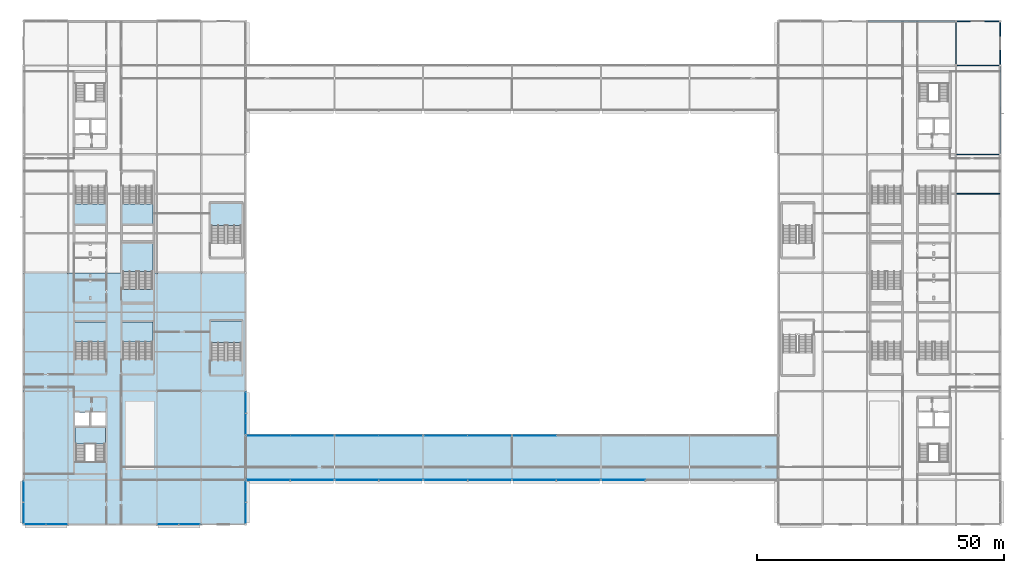
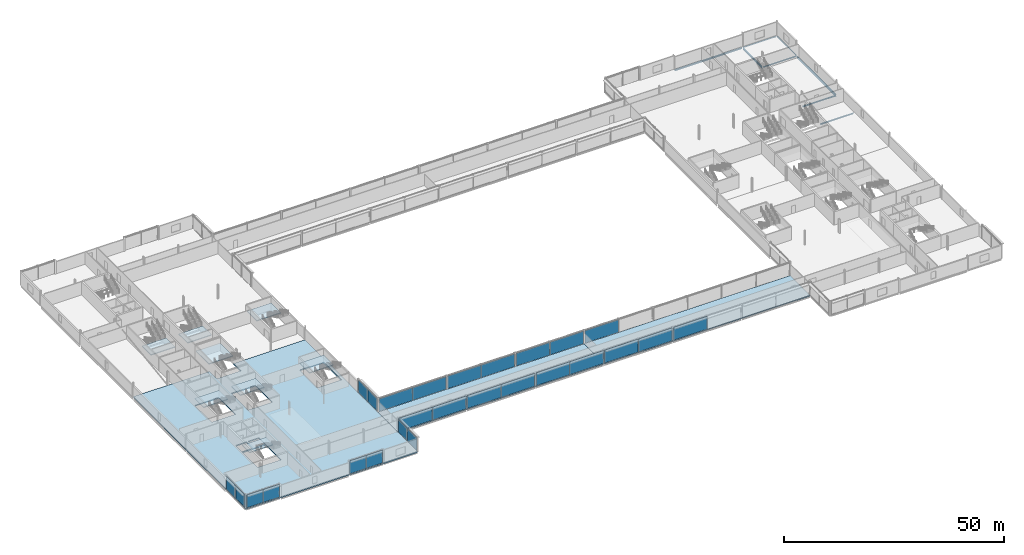
# One storey, part 50 of 96: 26 plates, 11 slabs, 8 beams, 22 elements without a shape of their own.
"""IFC4 building model written with IfcOpenShell, lengths in metres."""

from ifc_helpers import new_model, si_unit, direction, frame, origin, origin_2d, place, context, subcontext, project, spatial, polyline, rectangle, hollow_rectangle, i_section, outline, extrude, material, layer, layer_set, material_profile, profile_set, type_object, element, aggregate, save


model = new_model("IFC4")

# Units and contexts
model_context = context("Model", 3, precision=1e-05, world=origin(), true_north=direction((0.0, 1.0)))
body_context = subcontext(model_context, "Body", "Model", "MODEL_VIEW")
ifc_project = project(units=[si_unit("LENGTHUNIT", "METRE"), si_unit("AREAUNIT", "SQUARE_METRE"), si_unit("VOLUMEUNIT", "CUBIC_METRE"), si_unit("PLANEANGLEUNIT", "RADIAN"), si_unit("MASSUNIT", "GRAM", prefix="KILO")], contexts=[model_context])

# Site, building, storey
site_placement = place(None, origin())
site = spatial("IfcSite", under=ifc_project, at=site_placement, CompositionType="ELEMENT")
building_placement = place(site_placement, origin())
building = spatial("IfcBuilding", under=site, at=building_placement, Name="Kisiwana Market Hall", CompositionType="ELEMENT")
storey_placement = place(building_placement, frame((0.0, 0.0, 25.5)))
storey = spatial("IfcBuildingStorey", under=building, at=storey_placement, Name="L05", CompositionType="ELEMENT", Elevation=25.5)

# Beams
ifc_material_1 = material(Name="Steel S355", Category="steel")
ifc_material_profile_1 = material_profile(ifc_material_1, i_section(OverallWidth=0.209228515625, OverallDepth=0.533203125, WebThickness=0.010009765625, FlangeThickness=0.015625, at=origin_2d()), Name="UB 533x210x92")
ifc_profile_set_1 = profile_set([ifc_material_profile_1], Name="Steel S355")
beam_type_1 = type_object("IfcBeamType", Name="BM-GIRD-UB533", PredefinedType="BEAM", material=ifc_profile_set_1)
beam_1_placement = place(storey_placement, frame((189.0, 102.1865234375, -0.58154296875), z_axis=(0.0, 1.0, 0.0), x_axis=(-1.0, 0.0, 0.0)))
element("IfcBeam", 1, at=beam_1_placement, inside=storey, type_object=beam_type_1, Name="Primary girder B-1566", PredefinedType="BEAM", context=body_context, shape_type="SweptSolid", body=[
    extrude(i_section(OverallWidth=0.209228515625, OverallDepth=0.533203125, WebThickness=0.010009765625, FlangeThickness=0.015625, at=origin_2d()), origin(), (0.0, 0.0, 1.0), 8.626953125),
])
ifc_material_2 = material(Name="Steel S355", Category="steel")
ifc_material_profile_2 = material_profile(ifc_material_2, i_section(OverallWidth=0.22900390625, OverallDepth=0.6123046875, WebThickness=0.011962890625, FlangeThickness=0.01953125, at=origin_2d()), Name="UB 610x229x125")
ifc_profile_set_2 = profile_set([ifc_material_profile_2], Name="Steel S355")
beam_type_2 = type_object("IfcBeamType", Name="BM-GIRD-UB610H", PredefinedType="BEAM", material=ifc_profile_set_2)
beam_2_placement = place(storey_placement, frame((198.0, 84.18017578125, -0.62109375), z_axis=(0.0, 1.0, 0.0), x_axis=(-1.0, 0.0, 0.0)))
element("IfcBeam", 2, at=beam_2_placement, inside=storey, type_object=beam_type_2, Name="Floor beam B-1695", PredefinedType="BEAM", context=body_context, shape_type="SweptSolid", body=[
    extrude(i_section(OverallWidth=0.22900390625, OverallDepth=0.6123046875, WebThickness=0.011962890625, FlangeThickness=0.01953125, at=origin_2d()), origin(), (0.0, 0.0, 1.0), 17.6396484375),
])
ifc_material_3 = material(Name="Steel S355", Category="steel")
ifc_material_profile_3 = material_profile(ifc_material_3, i_section(OverallWidth=0.146484375, OverallDepth=0.256103515625, WebThickness=0.00634765625, FlangeThickness=0.010986328125, at=origin_2d()), Name="UB 254x146x37")
ifc_profile_set_3 = profile_set([ifc_material_profile_3], Name="Steel S355")
beam_type_3 = type_object("IfcBeamType", Name="BM-JOIST-UB254", PredefinedType="JOIST", material=ifc_profile_set_3)
beam_3_placement = place(storey_placement, frame((189.193359375, 84.0, -0.443115234375), z_axis=(1.0, 0.0, 0.0), x_axis=(0.0, 1.0, 0.0)))
element("IfcBeam", 3, at=beam_3_placement, inside=storey, type_object=beam_type_3, Name="Floor beam B-1640", PredefinedType="JOIST", context=body_context, shape_type="SweptSolid", body=[
    extrude(i_section(OverallWidth=0.146484375, OverallDepth=0.256103515625, WebThickness=0.00634765625, FlangeThickness=0.010986328125, at=origin_2d()), origin(), (0.0, 0.0, 1.0), 8.624267578125),
])
ifc_material_4 = material(Name="Steel S355", Category="steel")
ifc_material_profile_4 = material_profile(ifc_material_4, i_section(OverallWidth=0.17138671875, OverallDepth=0.35498046875, WebThickness=0.00732421875, FlangeThickness=0.011474609375, at=origin_2d()), Name="UB 356x171x51")
ifc_profile_set_4 = profile_set([ifc_material_profile_4], Name="Steel S355")
beam_type_4 = type_object("IfcBeamType", Name="BM-JOIST-UB356", PredefinedType="JOIST", material=ifc_profile_set_4)
beam_4_placement = place(storey_placement, frame((189.125732421875, 76.0, -0.492431640625), z_axis=(1.0, 0.0, 0.0), x_axis=(0.0, 1.0, 0.0)))
element("IfcBeam", 4, at=beam_4_placement, inside=storey, type_object=beam_type_4, Name="Secondary floor joist B-1594", PredefinedType="JOIST", context=body_context, shape_type="SweptSolid", body=[
    extrude(i_section(OverallWidth=0.17138671875, OverallDepth=0.35498046875, WebThickness=0.00732421875, FlangeThickness=0.011474609375, at=origin_2d()), origin(), (0.0, 0.0, 1.0), 8.7607421875),
])
ifc_material_5 = material(Name="Steel S355", Category="steel")
ifc_material_profile_5 = material_profile(ifc_material_5, i_section(OverallWidth=0.314453125, OverallDepth=0.33984375, WebThickness=0.01904296875, FlangeThickness=0.031494140625, at=origin_2d()), Name="UC 305x305x198")
ifc_profile_set_5 = profile_set([ifc_material_profile_5], Name="Steel S355")
beam_type_5 = type_object("IfcBeamType", Name="BM-SKYBR-CHORD", PredefinedType="BEAM", material=ifc_profile_set_5)
beam_5_placement = place(storey_placement, frame((171.193359375, 111.0, -0.48486328125), z_axis=(1.0, 0.0, 0.0), x_axis=(0.0, 1.0, 0.0)))
element("IfcBeam", 5, at=beam_5_placement, inside=storey, type_object=beam_type_5, Name="Floor beam B-1667", PredefinedType="BEAM", context=body_context, shape_type="SweptSolid", body=[
    extrude(i_section(OverallWidth=0.314453125, OverallDepth=0.33984375, WebThickness=0.01904296875, FlangeThickness=0.031494140625, at=origin_2d()), origin(), (0.0, 0.0, 1.0), 17.61328125),
])
ifc_material_6 = material(Name="Steel S355", Category="steel")
ifc_material_profile_6 = material_profile(ifc_material_6, hollow_rectangle(XDim=0.14990234375, YDim=0.25, WallThickness=0.010009765625, at=origin_2d()), Name="RHS 250x150x10.0")
ifc_profile_set_6 = profile_set([ifc_material_profile_6], Name="Steel S355")
beam_type_6 = type_object("IfcBeamType", Name="BM-SPAN-RHS250", PredefinedType="SPANDREL", material=ifc_profile_set_6)
beam_6_placement = place(storey_placement, frame((189.193359375, 111.0, -0.43994140625), z_axis=(1.0, 0.0, 0.0), x_axis=(0.0, 1.0, 0.0)))
element("IfcBeam", 6, at=beam_6_placement, inside=storey, type_object=beam_type_6, Name="Floor beam B-1668", PredefinedType="SPANDREL", context=body_context, shape_type="SweptSolid", body=[
    extrude(hollow_rectangle(XDim=0.14990234375, YDim=0.25, WallThickness=0.010009765625, at=origin_2d()), origin(), (0.0, 0.0, 1.0), 8.624267578125),
])
beam_7_placement = place(storey_placement, frame((198.0, 102.18017578125, -0.43994140625), z_axis=(0.0, 1.0, 0.0), x_axis=(-1.0, 0.0, 0.0)))
element("IfcBeam", 7, at=beam_7_placement, inside=storey, type_object=beam_type_6, Name="Floor beam B-1696", PredefinedType="SPANDREL", context=body_context, shape_type="SweptSolid", body=[
    extrude(hollow_rectangle(XDim=0.14990234375, YDim=0.25, WallThickness=0.010009765625, at=origin_2d()), origin(), (0.0, 0.0, 1.0), 8.6396484375),
])
ifc_material_7 = material(Name="Steel S355", Category="steel")
ifc_material_profile_7 = material_profile(ifc_material_7, hollow_rectangle(XDim=0.14990234375, YDim=0.300048828125, WallThickness=0.010009765625, at=origin_2d()), Name="RHS 300x150x10")
ifc_profile_set_7 = profile_set([ifc_material_profile_7], Name="Steel S355")
beam_type_7 = type_object("IfcBeamType", Name="BM-SPAN-RHS300", PredefinedType="SPANDREL", material=ifc_profile_set_7)
beam_8_placement = place(storey_placement, frame((189.193359375, 102.0, -0.465087890625), z_axis=(1.0, 0.0, 0.0), x_axis=(0.0, 1.0, 0.0)))
element("IfcBeam", 8, at=beam_8_placement, inside=storey, type_object=beam_type_7, Name="Floor beam B-1660", PredefinedType="SPANDREL", context=body_context, shape_type="SweptSolid", body=[
    extrude(hollow_rectangle(XDim=0.14990234375, YDim=0.300048828125, WallThickness=0.010009765625, at=origin_2d()), origin(), (0.0, 0.0, 1.0), 8.624267578125),
])

# Curtain wall, plates
ifc_material_8 = material(Name="Double-glazed solar-control low-E IGU", Category="glass")
ifc_layer_1 = layer(ifc_material_8, 0.159912109375)
ifc_layer_set_1 = layer_set([ifc_layer_1], Name="CW-ZNA-EW-8200")
curtain_wall_type = type_object("IfcCurtainWallType", Name="CW-ZNA-EW-8200", PredefinedType="USERDEFINED", material=ifc_layer_set_1)
curtain_wall_1_placement = place(storey_placement, origin())
curtain_wall_1 = element("IfcCurtainWall", 9, at=curtain_wall_1_placement, inside=storey, type_object=curtain_wall_type, Name="Unitised curtain wall CW-129 (L05)", ObjectType="UNITISED CURTAIN WALL", PredefinedType="USERDEFINED")
ifc_material_9 = material(Name="Double-glazed solar-control low-E IGU", Category="glass")
ifc_layer_2 = layer(ifc_material_9, 0.02392578125)
ifc_layer_set_2 = layer_set([ifc_layer_2], Name="PL-IGU-24")
plate_type_1 = type_object("IfcPlateType", Name="PL-IGU-24", PredefinedType="CURTAIN_PANEL", material=ifc_layer_set_2)
plate_1_placement = place(storey_placement, frame((2.3798828125, 9.0, 0.06005859375), z_axis=(0.0, 0.0, 1.0), x_axis=(1.0, 0.0, 0.0)))
plate_1 = element("IfcPlate", 10, at=plate_1_placement, type_object=plate_type_1, Name="CW-129 panel 1.1", PredefinedType="CURTAIN_PANEL", context=body_context, shape_type="SweptSolid", body=[
    extrude(rectangle(XDim=4.2333984375, YDim=0.02392578125, at=origin_2d()), origin(), (0.0, 0.0, 1.0), 3.534912109375),
])
plate_2_placement = place(storey_placement, frame((6.67333984375, 9.0, 0.06005859375), z_axis=(0.0, 0.0, 1.0), x_axis=(1.0, 0.0, 0.0)))
plate_2 = element("IfcPlate", 11, at=plate_2_placement, type_object=plate_type_1, Name="CW-129 panel 2.1", PredefinedType="CURTAIN_PANEL", context=body_context, shape_type="SweptSolid", body=[
    extrude(rectangle(XDim=4.2333984375, YDim=0.02392578125, at=origin_2d()), origin(), (0.0, 0.0, 1.0), 3.534912109375),
])
aggregate(curtain_wall_1, [plate_1, plate_2])

curtain_wall_2_placement = place(storey_placement, origin())
curtain_wall_2 = element("IfcCurtainWall", 12, at=curtain_wall_2_placement, inside=storey, type_object=curtain_wall_type, Name="Unitised curtain wall CW-133 (L05)", ObjectType="UNITISED CURTAIN WALL", PredefinedType="USERDEFINED")
plate_3_placement = place(storey_placement, frame((67.577392578125, 18.0, 0.06005859375), z_axis=(0.0, 0.0, 1.0), x_axis=(1.0, 0.0, 0.0)))
plate_3 = element("IfcPlate", 13, at=plate_3_placement, type_object=plate_type_1, Name="CW-133 panel 1.1", PredefinedType="CURTAIN_PANEL", context=body_context, shape_type="SweptSolid", body=[
    extrude(rectangle(XDim=8.784912109375, YDim=0.02392578125, at=origin_2d()), origin(), (0.0, 0.0, 1.0), 3.534912109375),
])
plate_4_placement = place(storey_placement, frame((76.422607421875, 18.0, 0.06005859375), z_axis=(0.0, 0.0, 1.0), x_axis=(1.0, 0.0, 0.0)))
plate_4 = element("IfcPlate", 14, at=plate_4_placement, type_object=plate_type_1, Name="CW-133 panel 2.1", PredefinedType="CURTAIN_PANEL", context=body_context, shape_type="SweptSolid", body=[
    extrude(rectangle(XDim=8.784912109375, YDim=0.02392578125, at=origin_2d()), origin(), (0.0, 0.0, 1.0), 3.534912109375),
])
aggregate(curtain_wall_2, [plate_3, plate_4])

curtain_wall_3_placement = place(storey_placement, origin())
curtain_wall_3 = element("IfcCurtainWall", 15, at=curtain_wall_3_placement, inside=storey, type_object=curtain_wall_type, Name="Unitised curtain wall CW-135 (L05)", ObjectType="UNITISED CURTAIN WALL", PredefinedType="USERDEFINED")
plate_5_placement = place(storey_placement, frame((103.577392578125, 18.0, 0.06005859375), z_axis=(0.0, 0.0, 1.0), x_axis=(1.0, 0.0, 0.0)))
plate_5 = element("IfcPlate", 16, at=plate_5_placement, type_object=plate_type_1, Name="CW-135 panel 1.1", PredefinedType="CURTAIN_PANEL", context=body_context, shape_type="SweptSolid", body=[
    extrude(rectangle(XDim=8.784912109375, YDim=0.02392578125, at=origin_2d()), origin(), (0.0, 0.0, 1.0), 3.534912109375),
])
plate_6_placement = place(storey_placement, frame((112.422607421875, 18.0, 0.06005859375), z_axis=(0.0, 0.0, 1.0), x_axis=(1.0, 0.0, 0.0)))
plate_6 = element("IfcPlate", 17, at=plate_6_placement, type_object=plate_type_1, Name="CW-135 panel 2.1", PredefinedType="CURTAIN_PANEL", context=body_context, shape_type="SweptSolid", body=[
    extrude(rectangle(XDim=8.784912109375, YDim=0.02392578125, at=origin_2d()), origin(), (0.0, 0.0, 1.0), 3.534912109375),
])
aggregate(curtain_wall_3, [plate_5, plate_6])

curtain_wall_4_placement = place(storey_placement, origin())
curtain_wall_4 = element("IfcCurtainWall", 18, at=curtain_wall_4_placement, inside=storey, type_object=curtain_wall_type, Name="Unitised curtain wall CW-139 (L05)", ObjectType="UNITISED CURTAIN WALL", PredefinedType="USERDEFINED")
plate_7_placement = place(storey_placement, frame((67.577392578125, 27.0, 0.06005859375), z_axis=(0.0, 0.0, 1.0), x_axis=(1.0, 0.0, 0.0)))
plate_7 = element("IfcPlate", 19, at=plate_7_placement, type_object=plate_type_1, Name="CW-139 panel 1.1", PredefinedType="CURTAIN_PANEL", context=body_context, shape_type="SweptSolid", body=[
    extrude(rectangle(XDim=8.784912109375, YDim=0.02392578125, at=origin_2d()), origin(), (0.0, 0.0, 1.0), 3.534912109375),
])
plate_8_placement = place(storey_placement, frame((76.422607421875, 27.0, 0.06005859375), z_axis=(0.0, 0.0, 1.0), x_axis=(1.0, 0.0, 0.0)))
plate_8 = element("IfcPlate", 20, at=plate_8_placement, type_object=plate_type_1, Name="CW-139 panel 2.1", PredefinedType="CURTAIN_PANEL", context=body_context, shape_type="SweptSolid", body=[
    extrude(rectangle(XDim=8.784912109375, YDim=0.02392578125, at=origin_2d()), origin(), (0.0, 0.0, 1.0), 3.534912109375),
])
aggregate(curtain_wall_4, [plate_7, plate_8])

# Curtain wall, plate
curtain_wall_5_placement = place(storey_placement, origin())
curtain_wall_5 = element("IfcCurtainWall", 21, at=curtain_wall_5_placement, inside=storey, type_object=curtain_wall_type, Name="Unitised curtain wall CW-141 (L05)", ObjectType="UNITISED CURTAIN WALL", PredefinedType="USERDEFINED")
plate_9_placement = place(storey_placement, frame((103.577392578125, 27.0, 0.06005859375), z_axis=(0.0, 0.0, 1.0), x_axis=(1.0, 0.0, 0.0)))
plate_9 = element("IfcPlate", 22, at=plate_9_placement, type_object=plate_type_1, Name="CW-141 panel 1.1", PredefinedType="CURTAIN_PANEL", context=body_context, shape_type="SweptSolid", body=[
    extrude(rectangle(XDim=8.784912109375, YDim=0.02392578125, at=origin_2d()), origin(), (0.0, 0.0, 1.0), 3.534912109375),
])
aggregate(curtain_wall_5, [plate_9])

# Curtain wall, plates
curtain_wall_6_placement = place(storey_placement, origin())
curtain_wall_6 = element("IfcCurtainWall", 23, at=curtain_wall_6_placement, inside=storey, type_object=curtain_wall_type, Name="Unitised curtain wall CW-159 (L05)", ObjectType="UNITISED CURTAIN WALL", PredefinedType="USERDEFINED")
plate_10_placement = place(storey_placement, frame((0.0, 11.36669921875, 0.06005859375), z_axis=(0.0, 0.0, 1.0), x_axis=(0.0, 1.0, 0.0)))
plate_10 = element("IfcPlate", 24, at=plate_10_placement, type_object=plate_type_1, Name="CW-159 panel 1.1", PredefinedType="CURTAIN_PANEL", context=body_context, shape_type="SweptSolid", body=[
    extrude(rectangle(XDim=4.206787109375, YDim=0.02392578125, at=origin_2d()), origin(), (0.0, 0.0, 1.0), 3.534912109375),
])
plate_11_placement = place(storey_placement, frame((0.0, 15.63330078125, 0.06005859375), z_axis=(0.0, 0.0, 1.0), x_axis=(0.0, 1.0, 0.0)))
plate_11 = element("IfcPlate", 25, at=plate_11_placement, type_object=plate_type_1, Name="CW-159 panel 2.1", PredefinedType="CURTAIN_PANEL", context=body_context, shape_type="SweptSolid", body=[
    extrude(rectangle(XDim=4.206787109375, YDim=0.02392578125, at=origin_2d()), origin(), (0.0, 0.0, 1.0), 3.534912109375),
])
aggregate(curtain_wall_6, [plate_10, plate_11])

curtain_wall_7_placement = place(storey_placement, origin())
curtain_wall_7 = element("IfcCurtainWall", 26, at=curtain_wall_7_placement, inside=storey, type_object=curtain_wall_type, Name="Unitised curtain wall CW-161 (L05)", ObjectType="UNITISED CURTAIN WALL", PredefinedType="USERDEFINED")
plate_12_placement = place(storey_placement, frame((45.0, 29.36669921875, 0.06005859375), z_axis=(0.0, 0.0, 1.0), x_axis=(0.0, 1.0, 0.0)))
plate_12 = element("IfcPlate", 27, at=plate_12_placement, type_object=plate_type_1, Name="CW-161 panel 1.1", PredefinedType="CURTAIN_PANEL", context=body_context, shape_type="SweptSolid", body=[
    extrude(rectangle(XDim=4.206787109375, YDim=0.02392578125, at=origin_2d()), origin(), (0.0, 0.0, 1.0), 3.534912109375),
])
plate_13_placement = place(storey_placement, frame((45.0, 33.63330078125, 0.06005859375), z_axis=(0.0, 0.0, 1.0), x_axis=(0.0, 1.0, 0.0)))
plate_13 = element("IfcPlate", 28, at=plate_13_placement, type_object=plate_type_1, Name="CW-161 panel 2.1", PredefinedType="CURTAIN_PANEL", context=body_context, shape_type="SweptSolid", body=[
    extrude(rectangle(XDim=4.206787109375, YDim=0.02392578125, at=origin_2d()), origin(), (0.0, 0.0, 1.0), 3.534912109375),
])
aggregate(curtain_wall_7, [plate_12, plate_13])

curtain_wall_8_placement = place(storey_placement, origin())
curtain_wall_8 = element("IfcCurtainWall", 29, at=curtain_wall_8_placement, inside=storey, type_object=curtain_wall_type, Name="Unitised curtain wall CW-130 (L05)", ObjectType="UNITISED CURTAIN WALL", PredefinedType="USERDEFINED")
ifc_material_10 = material(Name="Double-glazed acoustic laminated IGU", Category="glass")
ifc_layer_3 = layer(ifc_material_10, 0.028076171875)
ifc_layer_set_3 = layer_set([ifc_layer_3], Name="PL-IGU-28")
plate_type_2 = type_object("IfcPlateType", Name="PL-IGU-28", PredefinedType="CURTAIN_PANEL", material=ifc_layer_set_3)
plate_14_placement = place(storey_placement, frame((29.32666015625, 9.0, 0.06005859375), z_axis=(0.0, 0.0, 1.0), x_axis=(1.0, 0.0, 0.0)))
plate_14 = element("IfcPlate", 30, at=plate_14_placement, type_object=plate_type_2, Name="CW-130 panel 1.1", PredefinedType="CURTAIN_PANEL", context=body_context, shape_type="SweptSolid", body=[
    extrude(rectangle(XDim=4.2333984375, YDim=0.028076171875, at=origin_2d()), origin(), (0.0, 0.0, 1.0), 3.534912109375),
])
plate_15_placement = place(storey_placement, frame((33.6201171875, 9.0, 0.06005859375), z_axis=(0.0, 0.0, 1.0), x_axis=(1.0, 0.0, 0.0)))
plate_15 = element("IfcPlate", 31, at=plate_15_placement, type_object=plate_type_2, Name="CW-130 panel 2.1", PredefinedType="CURTAIN_PANEL", context=body_context, shape_type="SweptSolid", body=[
    extrude(rectangle(XDim=4.2333984375, YDim=0.028076171875, at=origin_2d()), origin(), (0.0, 0.0, 1.0), 3.534912109375),
])
aggregate(curtain_wall_8, [plate_14, plate_15])

curtain_wall_9_placement = place(storey_placement, origin())
curtain_wall_9 = element("IfcCurtainWall", 32, at=curtain_wall_9_placement, inside=storey, type_object=curtain_wall_type, Name="Unitised curtain wall CW-132 (L05)", ObjectType="UNITISED CURTAIN WALL", PredefinedType="USERDEFINED")
plate_16_placement = place(storey_placement, frame((49.63623046875, 18.0, 0.06005859375), z_axis=(0.0, 0.0, 1.0), x_axis=(1.0, 0.0, 0.0)))
plate_16 = element("IfcPlate", 33, at=plate_16_placement, type_object=plate_type_2, Name="CW-132 panel 1.1", PredefinedType="CURTAIN_PANEL", context=body_context, shape_type="SweptSolid", body=[
    extrude(rectangle(XDim=8.745849609375, YDim=0.028076171875, at=origin_2d()), origin(), (0.0, 0.0, 1.0), 3.534912109375),
])
plate_17_placement = place(storey_placement, frame((58.442138671875, 18.0, 0.06005859375), z_axis=(0.0, 0.0, 1.0), x_axis=(1.0, 0.0, 0.0)))
plate_17 = element("IfcPlate", 34, at=plate_17_placement, type_object=plate_type_2, Name="CW-132 panel 2.1", PredefinedType="CURTAIN_PANEL", context=body_context, shape_type="SweptSolid", body=[
    extrude(rectangle(XDim=8.745849609375, YDim=0.028076171875, at=origin_2d()), origin(), (0.0, 0.0, 1.0), 3.534912109375),
])
aggregate(curtain_wall_9, [plate_16, plate_17])

curtain_wall_10_placement = place(storey_placement, origin())
curtain_wall_10 = element("IfcCurtainWall", 35, at=curtain_wall_10_placement, inside=storey, type_object=curtain_wall_type, Name="Unitised curtain wall CW-134 (L05)", ObjectType="UNITISED CURTAIN WALL", PredefinedType="USERDEFINED")
plate_18_placement = place(storey_placement, frame((85.577392578125, 18.0, 0.06005859375), z_axis=(0.0, 0.0, 1.0), x_axis=(1.0, 0.0, 0.0)))
plate_18 = element("IfcPlate", 36, at=plate_18_placement, type_object=plate_type_2, Name="CW-134 panel 1.1", PredefinedType="CURTAIN_PANEL", context=body_context, shape_type="SweptSolid", body=[
    extrude(rectangle(XDim=8.784912109375, YDim=0.028076171875, at=origin_2d()), origin(), (0.0, 0.0, 1.0), 3.534912109375),
])
plate_19_placement = place(storey_placement, frame((94.422607421875, 18.0, 0.06005859375), z_axis=(0.0, 0.0, 1.0), x_axis=(1.0, 0.0, 0.0)))
plate_19 = element("IfcPlate", 37, at=plate_19_placement, type_object=plate_type_2, Name="CW-134 panel 2.1", PredefinedType="CURTAIN_PANEL", context=body_context, shape_type="SweptSolid", body=[
    extrude(rectangle(XDim=8.784912109375, YDim=0.028076171875, at=origin_2d()), origin(), (0.0, 0.0, 1.0), 3.534912109375),
])
aggregate(curtain_wall_10, [plate_18, plate_19])

# Curtain wall, plate
curtain_wall_11_placement = place(storey_placement, origin())
curtain_wall_11 = element("IfcCurtainWall", 38, at=curtain_wall_11_placement, inside=storey, type_object=curtain_wall_type, Name="Unitised curtain wall CW-136 (L05)", ObjectType="UNITISED CURTAIN WALL", PredefinedType="USERDEFINED")
plate_20_placement = place(storey_placement, frame((121.577392578125, 18.0, 0.06005859375), z_axis=(0.0, 0.0, 1.0), x_axis=(1.0, 0.0, 0.0)))
plate_20 = element("IfcPlate", 39, at=plate_20_placement, type_object=plate_type_2, Name="CW-136 panel 1.1", PredefinedType="CURTAIN_PANEL", context=body_context, shape_type="SweptSolid", body=[
    extrude(rectangle(XDim=8.784912109375, YDim=0.028076171875, at=origin_2d()), origin(), (0.0, 0.0, 1.0), 3.534912109375),
])
aggregate(curtain_wall_11, [plate_20])

# Curtain wall, plates
curtain_wall_12_placement = place(storey_placement, origin())
curtain_wall_12 = element("IfcCurtainWall", 40, at=curtain_wall_12_placement, inside=storey, type_object=curtain_wall_type, Name="Unitised curtain wall CW-138 (L05)", ObjectType="UNITISED CURTAIN WALL", PredefinedType="USERDEFINED")
plate_21_placement = place(storey_placement, frame((49.63623046875, 27.0, 0.06005859375), z_axis=(0.0, 0.0, 1.0), x_axis=(1.0, 0.0, 0.0)))
plate_21 = element("IfcPlate", 41, at=plate_21_placement, type_object=plate_type_2, Name="CW-138 panel 1.1", PredefinedType="CURTAIN_PANEL", context=body_context, shape_type="SweptSolid", body=[
    extrude(rectangle(XDim=8.745849609375, YDim=0.028076171875, at=origin_2d()), origin(), (0.0, 0.0, 1.0), 3.534912109375),
])
plate_22_placement = place(storey_placement, frame((58.442138671875, 27.0, 0.06005859375), z_axis=(0.0, 0.0, 1.0), x_axis=(1.0, 0.0, 0.0)))
plate_22 = element("IfcPlate", 42, at=plate_22_placement, type_object=plate_type_2, Name="CW-138 panel 2.1", PredefinedType="CURTAIN_PANEL", context=body_context, shape_type="SweptSolid", body=[
    extrude(rectangle(XDim=8.745849609375, YDim=0.028076171875, at=origin_2d()), origin(), (0.0, 0.0, 1.0), 3.534912109375),
])
aggregate(curtain_wall_12, [plate_21, plate_22])

curtain_wall_13_placement = place(storey_placement, origin())
curtain_wall_13 = element("IfcCurtainWall", 43, at=curtain_wall_13_placement, inside=storey, type_object=curtain_wall_type, Name="Unitised curtain wall CW-140 (L05)", ObjectType="UNITISED CURTAIN WALL", PredefinedType="USERDEFINED")
plate_23_placement = place(storey_placement, frame((85.577392578125, 27.0, 0.06005859375), z_axis=(0.0, 0.0, 1.0), x_axis=(1.0, 0.0, 0.0)))
plate_23 = element("IfcPlate", 44, at=plate_23_placement, type_object=plate_type_2, Name="CW-140 panel 1.1", PredefinedType="CURTAIN_PANEL", context=body_context, shape_type="SweptSolid", body=[
    extrude(rectangle(XDim=8.784912109375, YDim=0.028076171875, at=origin_2d()), origin(), (0.0, 0.0, 1.0), 3.534912109375),
])
plate_24_placement = place(storey_placement, frame((94.422607421875, 27.0, 0.06005859375), z_axis=(0.0, 0.0, 1.0), x_axis=(1.0, 0.0, 0.0)))
plate_24 = element("IfcPlate", 45, at=plate_24_placement, type_object=plate_type_2, Name="CW-140 panel 2.1", PredefinedType="CURTAIN_PANEL", context=body_context, shape_type="SweptSolid", body=[
    extrude(rectangle(XDim=8.784912109375, YDim=0.028076171875, at=origin_2d()), origin(), (0.0, 0.0, 1.0), 3.534912109375),
])
aggregate(curtain_wall_13, [plate_23, plate_24])

curtain_wall_14_placement = place(storey_placement, origin())
curtain_wall_14 = element("IfcCurtainWall", 46, at=curtain_wall_14_placement, inside=storey, type_object=curtain_wall_type, Name="Unitised curtain wall CW-160 (L05)", ObjectType="UNITISED CURTAIN WALL", PredefinedType="USERDEFINED")
plate_25_placement = place(storey_placement, frame((45.0, 11.36669921875, 0.06005859375), z_axis=(0.0, 0.0, 1.0), x_axis=(0.0, 1.0, 0.0)))
plate_25 = element("IfcPlate", 47, at=plate_25_placement, type_object=plate_type_2, Name="CW-160 panel 1.1", PredefinedType="CURTAIN_PANEL", context=body_context, shape_type="SweptSolid", body=[
    extrude(rectangle(XDim=4.206787109375, YDim=0.028076171875, at=origin_2d()), origin(), (0.0, 0.0, 1.0), 3.534912109375),
])
plate_26_placement = place(storey_placement, frame((45.0, 15.63330078125, 0.06005859375), z_axis=(0.0, 0.0, 1.0), x_axis=(0.0, 1.0, 0.0)))
plate_26 = element("IfcPlate", 48, at=plate_26_placement, type_object=plate_type_2, Name="CW-160 panel 2.1", PredefinedType="CURTAIN_PANEL", context=body_context, shape_type="SweptSolid", body=[
    extrude(rectangle(XDim=4.206787109375, YDim=0.028076171875, at=origin_2d()), origin(), (0.0, 0.0, 1.0), 3.534912109375),
])
aggregate(curtain_wall_14, [plate_25, plate_26])

# Stair, slab
ifc_material_11 = material(Name="Concrete C32/40", Category="concrete")
stair_type_1 = type_object("IfcStairType", Name="ST-TWR-3900", PredefinedType="TWO_STRAIGHT_RUN_STAIR", material=ifc_material_11)
stair_1_placement = place(storey_placement, origin())
stair_1 = element("IfcStair", 49, at=stair_1_placement, inside=storey, type_object=stair_type_1, Name="Escape stair ST-W2-L05", PredefinedType="TWO_STRAIGHT_RUN_STAIR")
ifc_material_12 = material(Name="Concrete C32/40", Category="concrete")
ifc_layer_4 = layer(ifc_material_12, 0.239990234375)
ifc_layer_set_4 = layer_set([ifc_layer_4], Name="SL-LANDING-160")
slab_type_1 = type_object("IfcSlabType", Name="SL-LANDING-160", PredefinedType="LANDING", material=ifc_layer_set_4)
slab_1_placement = place(storey_placement, frame((0.0, 0.0, 1.7099609375)))
slab_1 = element("IfcSlab", 50, at=slab_1_placement, type_object=slab_type_1, Name="ST-W2-L05 landing 1 S-269", PredefinedType="LANDING", context=body_context, shape_type="SweptSolid", body=[
    extrude(outline(polyline([(10.405029296875, 25.333984375), (16.594970703125, 25.333984375), (16.594970703125, 28.64501953125), (10.405029296875, 28.64501953125), (10.405029296875, 25.333984375)])), origin(), (0.0, 0.0, 1.0), 0.239990234375),
])
aggregate(stair_1, [slab_1])

ifc_material_13 = material(Name="Concrete C32/40", Category="concrete")
stair_type_2 = type_object("IfcStairType", Name="ST-ESC-3900", PredefinedType="TWO_STRAIGHT_RUN_STAIR", material=ifc_material_13)
stair_2_placement = place(storey_placement, origin())
stair_2 = element("IfcStair", 51, at=stair_2_placement, inside=storey, type_object=stair_type_2, Name="Escape stair ST-W3-L05", PredefinedType="TWO_STRAIGHT_RUN_STAIR")
slab_2_placement = place(storey_placement, frame((0.0, 0.0, 1.7099609375)))
slab_2 = element("IfcSlab", 52, at=slab_2_placement, type_object=slab_type_1, Name="ST-W3-L05 landing 1 S-270", PredefinedType="LANDING", context=body_context, shape_type="SweptSolid", body=[
    extrude(outline(polyline([(10.340087890625, 46.01953125), (16.659912109375, 46.01953125), (16.659912109375, 50.06005859375), (10.340087890625, 50.06005859375), (10.340087890625, 46.01953125)])), origin(), (0.0, 0.0, 1.0), 0.239990234375),
])
aggregate(stair_2, [slab_2])

stair_3_placement = place(storey_placement, origin())
stair_3 = element("IfcStair", 53, at=stair_3_placement, inside=storey, type_object=stair_type_2, Name="Escape stair ST-W4-L05", PredefinedType="TWO_STRAIGHT_RUN_STAIR")
slab_3_placement = place(storey_placement, frame((0.0, 0.0, 1.7099609375)))
slab_3 = element("IfcSlab", 54, at=slab_3_placement, type_object=slab_type_1, Name="ST-W4-L05 landing 1 S-271", PredefinedType="LANDING", context=body_context, shape_type="SweptSolid", body=[
    extrude(outline(polyline([(10.340087890625, 69.93994140625), (16.659912109375, 69.93994140625), (16.659912109375, 73.98046875), (10.340087890625, 73.98046875), (10.340087890625, 69.93994140625)])), origin(), (0.0, 0.0, 1.0), 0.239990234375),
])
aggregate(stair_3, [slab_3])

stair_4_placement = place(storey_placement, origin())
stair_4 = element("IfcStair", 55, at=stair_4_placement, inside=storey, type_object=stair_type_2, Name="Escape stair ST-W7-L05", PredefinedType="TWO_STRAIGHT_RUN_STAIR")
slab_4_placement = place(storey_placement, frame((0.0, 0.0, 1.7099609375)))
slab_4 = element("IfcSlab", 56, at=slab_4_placement, type_object=slab_type_1, Name="ST-W7-L05 landing 1 S-273", PredefinedType="LANDING", context=body_context, shape_type="SweptSolid", body=[
    extrude(outline(polyline([(19.93994140625, 46.01953125), (26.260009765625, 46.01953125), (26.260009765625, 50.06005859375), (19.93994140625, 50.06005859375), (19.93994140625, 46.01953125)])), origin(), (0.0, 0.0, 1.0), 0.239990234375),
])
aggregate(stair_4, [slab_4])

stair_5_placement = place(storey_placement, origin())
stair_5 = element("IfcStair", 57, at=stair_5_placement, inside=storey, type_object=stair_type_2, Name="Escape stair ST-W8-L05", PredefinedType="TWO_STRAIGHT_RUN_STAIR")
slab_5_placement = place(storey_placement, frame((0.0, 0.0, 1.7099609375)))
slab_5 = element("IfcSlab", 58, at=slab_5_placement, type_object=slab_type_1, Name="ST-W8-L05 landing 1 S-274", PredefinedType="LANDING", context=body_context, shape_type="SweptSolid", body=[
    extrude(outline(polyline([(19.93994140625, 69.93994140625), (26.260009765625, 69.93994140625), (26.260009765625, 73.98046875), (19.93994140625, 73.98046875), (19.93994140625, 69.93994140625)])), origin(), (0.0, 0.0, 1.0), 0.239990234375),
])
aggregate(stair_5, [slab_5])

stair_6_placement = place(storey_placement, origin())
stair_6 = element("IfcStair", 59, at=stair_6_placement, inside=storey, type_object=stair_type_2, Name="Escape stair ST-W9-L05", PredefinedType="TWO_STRAIGHT_RUN_STAIR")
slab_6_placement = place(storey_placement, frame((0.0, 0.0, 1.7099609375)))
slab_6 = element("IfcSlab", 60, at=slab_6_placement, type_object=slab_type_1, Name="ST-W9-L05 landing 1 S-275", PredefinedType="LANDING", context=body_context, shape_type="SweptSolid", body=[
    extrude(outline(polyline([(37.909912109375, 45.819580078125), (44.22998046875, 45.819580078125), (44.22998046875, 50.260009765625), (37.909912109375, 50.260009765625), (37.909912109375, 45.819580078125)])), origin(), (0.0, 0.0, 1.0), 0.239990234375),
])
aggregate(stair_6, [slab_6])

stair_7_placement = place(storey_placement, origin())
stair_7 = element("IfcStair", 61, at=stair_7_placement, inside=storey, type_object=stair_type_2, Name="Escape stair ST-W10-L05", PredefinedType="TWO_STRAIGHT_RUN_STAIR")
slab_7_placement = place(storey_placement, frame((0.0, 0.0, 1.7099609375)))
slab_7 = element("IfcSlab", 62, at=slab_7_placement, type_object=slab_type_1, Name="ST-W10-L05 landing 1 S-268", PredefinedType="LANDING", context=body_context, shape_type="SweptSolid", body=[
    extrude(outline(polyline([(37.909912109375, 69.619384765625), (44.22998046875, 69.619384765625), (44.22998046875, 74.06005859375), (37.909912109375, 74.06005859375), (37.909912109375, 69.619384765625)])), origin(), (0.0, 0.0, 1.0), 0.239990234375),
])
aggregate(stair_7, [slab_7])

stair_8_placement = place(storey_placement, origin())
stair_8 = element("IfcStair", 63, at=stair_8_placement, inside=storey, type_object=stair_type_2, Name="Escape stair ST-W5-L05", PredefinedType="TWO_STRAIGHT_RUN_STAIR")
slab_8_placement = place(storey_placement, frame((0.0, 0.0, 1.7099609375)))
slab_8 = element("IfcSlab", 64, at=slab_8_placement, type_object=slab_type_1, Name="ST-W5-L05 landing 1 S-272", PredefinedType="LANDING", context=body_context, shape_type="SweptSolid", body=[
    extrude(outline(polyline([(19.93994140625, 60.299560546875), (26.260009765625, 60.299560546875), (26.260009765625, 66.179931640625), (19.93994140625, 66.179931640625), (19.93994140625, 60.299560546875)])), origin(), (0.0, 0.0, 1.0), 0.239990234375),
])
aggregate(stair_8, [slab_8])

# Slabs
ifc_material_14 = material(Name="Concrete C32/40", Category="concrete")
ifc_layer_5 = layer(ifc_material_14, 0.31494140625)
ifc_layer_set_5 = layer_set([ifc_layer_5], Name="SL-OFF-255")
slab_type_2 = type_object("IfcSlabType", Name="SL-OFF-255", PredefinedType="FLOOR", material=ifc_layer_set_5)
slab_9_placement = place(storey_placement, frame((0.0, 0.0, -0.31494140625)))
element("IfcSlab", 65, at=slab_9_placement, inside=storey, type_object=slab_type_2, Name="Structural slab S-250", PredefinedType="FLOOR", context=body_context, shape_type="SweptSolid", body=[
    extrude(outline(polyline([(0.0, 9.0), (45.0, 9.0), (45.0, 60.0), (26.239990234375, 60.0), (26.239990234375, 56.659912109375), (19.9599609375, 56.659912109375), (19.9599609375, 60.0), (0.0, 60.0), (0.0, 9.0)]), holes=[polyline([(10.425048828125, 21.675048828125), (16.574951171875, 21.675048828125), (16.574951171875, 28.625), (10.425048828125, 28.625), (10.425048828125, 21.675048828125)]), polyline([(10.425048828125, 28.945068359375), (13.340087890625, 28.945068359375), (13.340087890625, 31.675048828125), (10.425048828125, 31.675048828125), (10.425048828125, 28.945068359375)]), polyline([(13.659912109375, 28.945068359375), (16.574951171875, 28.945068359375), (16.574951171875, 31.675048828125), (13.659912109375, 31.675048828125), (13.659912109375, 28.945068359375)]), polyline([(10.360107421875, 42.3798828125), (16.639892578125, 42.3798828125), (16.639892578125, 50.0400390625), (10.360107421875, 50.0400390625), (10.360107421875, 42.3798828125)]), polyline([(19.9599609375, 42.3798828125), (26.239990234375, 42.3798828125), (26.239990234375, 50.0400390625), (19.9599609375, 50.0400390625), (19.9599609375, 42.3798828125)]), polyline([(37.929931640625, 42.179931640625), (44.2099609375, 42.179931640625), (44.2099609375, 50.239990234375), (37.929931640625, 50.239990234375), (37.929931640625, 42.179931640625)])]), origin(), (0.0, 0.0, 1.0), 0.31494140625),
])
ifc_material_15 = material(Name="Concrete C32/40", Category="concrete")
ifc_layer_6 = layer(ifc_material_15, 0.264892578125)
ifc_layer_set_6 = layer_set([ifc_layer_6], Name="SL-SKYBR-190")
slab_type_3 = type_object("IfcSlabType", Name="SL-SKYBR-190", PredefinedType="FLOOR", material=ifc_layer_set_6)
slab_10_placement = place(storey_placement, frame((0.0, 0.0, -0.264892578125)))
element("IfcSlab", 66, at=slab_10_placement, inside=storey, type_object=slab_type_3, Name="Structural slab S-254", PredefinedType="FLOOR", context=body_context, shape_type="SweptSolid", body=[
    extrude(outline(polyline([(45.0, 18.0), (99.0, 18.0), (99.0, 27.0), (45.0, 27.0), (45.0, 18.0)])), origin(), (0.0, 0.0, 1.0), 0.264892578125),
])
slab_11_placement = place(storey_placement, frame((0.0, 0.0, -0.264892578125)))
element("IfcSlab", 67, at=slab_11_placement, inside=storey, type_object=slab_type_3, Name="Structural slab S-255", PredefinedType="FLOOR", context=body_context, shape_type="SweptSolid", body=[
    extrude(outline(polyline([(99.0, 18.0), (153.0, 18.0), (153.0, 27.0), (99.0, 27.0), (99.0, 18.0)])), origin(), (0.0, 0.0, 1.0), 0.264892578125),
])

save(model, "model.ifc")
